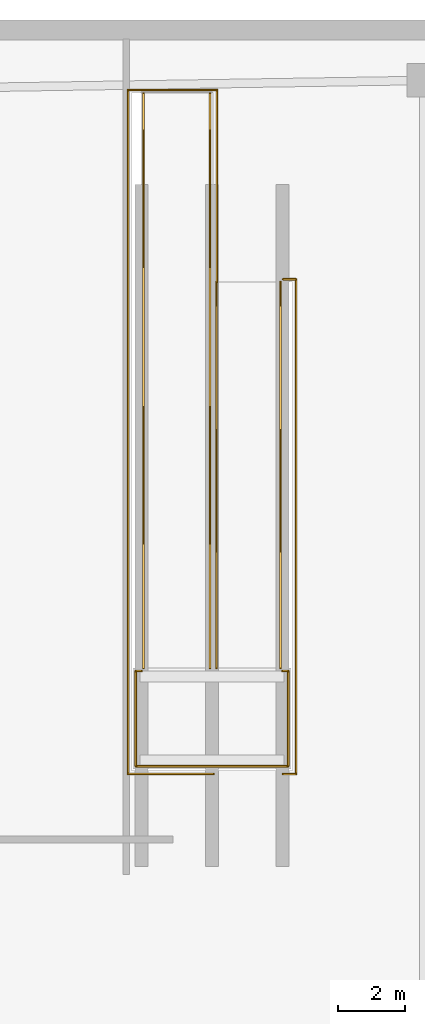
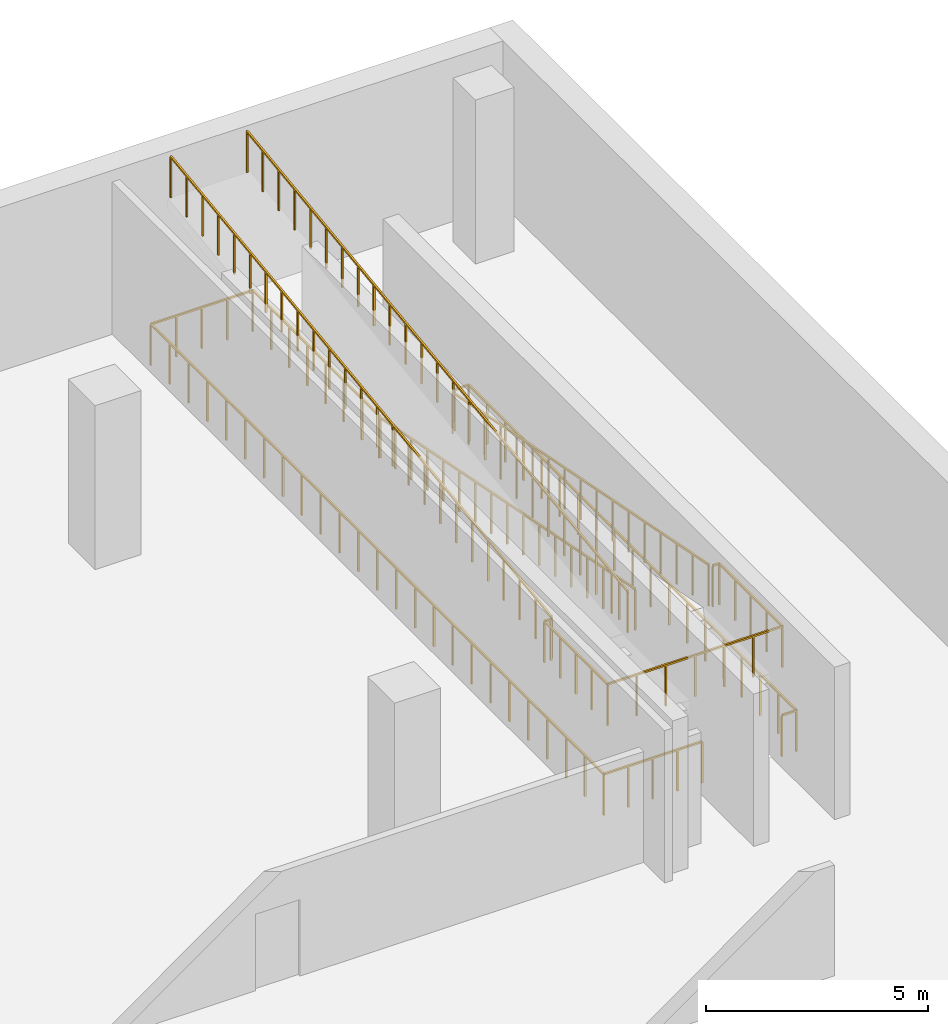
# One storey, part 7 of 8: 16 railings.
"""IFC4 building model written with IfcOpenShell, lengths in metres."""

from ifc_helpers import new_model, si_unit, direction, frame, origin, origin_2d, place, context, subcontext, project, spatial, rectangle, extrude, material, type_object, element, save


model = new_model("IFC4")

# Units and contexts
model_context = context("Model", 3, precision=1e-05, world=origin(), true_north=direction((0.0, 1.0)))
body_context = subcontext(model_context, "Body", "Model", "MODEL_VIEW")
ifc_project = project(units=[si_unit("LENGTHUNIT", "METRE"), si_unit("AREAUNIT", "SQUARE_METRE"), si_unit("VOLUMEUNIT", "CUBIC_METRE"), si_unit("PLANEANGLEUNIT", "RADIAN"), si_unit("MASSUNIT", "GRAM", prefix="KILO")], contexts=[model_context])

# Site, building, storey
site_placement = place(None, origin())
site = spatial("IfcSite", under=ifc_project, at=site_placement, CompositionType="ELEMENT")
building_placement = place(site_placement, origin())
building = spatial("IfcBuilding", under=site, at=building_placement, Name="Qhalaya Broadcast Tower", CompositionType="ELEMENT")
storey_placement = place(building_placement, frame((0.0, 0.0, -4.5)))
storey = spatial("IfcBuildingStorey", under=building, at=storey_placement, Name="B01", CompositionType="ELEMENT", Elevation=-4.5)

# Railings
ifc_material = material(Name="Powder-Coated Galvanised Steel", Category="steel")
railing_type = type_object("IfcRailingType", Name="Stair Well & Landing Guardrail 1100", PredefinedType="GUARDRAIL", material=ifc_material)
railing_1_placement = place(storey_placement, frame((32.949951171875, 5.550048828125, 0.0)))
element("IfcRailing", 1, at=railing_1_placement, inside=storey, type_object=railing_type, Name="B01 Vehicle Ramp Well Safety Guard SW", PredefinedType="GUARDRAIL", context=body_context, shape_type="SweptSolid", body=[
    extrude(rectangle(XDim=0.048095703125, YDim=0.048095703125, at=origin_2d()), frame((0.0, 0.0, 1.1259765625), z_axis=(-1.0, 0.0, 0.0), x_axis=(0.0, -1.0, 0.0)), (0.0, 0.0, 1.0), 2.550048828125),
    extrude(rectangle(XDim=0.0419921875, YDim=0.0419921875, at=origin_2d()), origin(), (0.0, 0.0, 1.0), 1.099853515625),
    extrude(rectangle(XDim=0.0419921875, YDim=0.0419921875, at=origin_2d()), frame((-0.637451171875, 0.0, 0.0)), (0.0, 0.0, 1.0), 1.099853515625),
    extrude(rectangle(XDim=0.0419921875, YDim=0.0419921875, at=origin_2d()), frame((-1.27490234375, 0.0, 0.0)), (0.0, 0.0, 1.0), 1.099853515625),
    extrude(rectangle(XDim=0.0419921875, YDim=0.0419921875, at=origin_2d()), frame((-1.91259765625, 0.0, 0.0)), (0.0, 0.0, 1.0), 1.099853515625),
    extrude(rectangle(XDim=0.0419921875, YDim=0.0419921875, at=origin_2d()), frame((-2.550048828125, 0.0, 0.0)), (0.0, 0.0, 1.0), 1.099853515625),
])
railing_2_placement = place(storey_placement, frame((30.39990234375, 5.550048828125, 0.0)))
element("IfcRailing", 2, at=railing_2_placement, inside=storey, type_object=railing_type, Name="B01 Vehicle Ramp Well Safety Guard WW", PredefinedType="GUARDRAIL", context=body_context, shape_type="SweptSolid", body=[
    extrude(rectangle(XDim=0.048095703125, YDim=0.048095703125, at=origin_2d()), frame((0.0, 0.0, 1.1259765625), z_axis=(0.0, 1.0, 0.0), x_axis=(-1.0, 0.0, 0.0)), (0.0, 0.0, 1.0), 20.369873046875),
    extrude(rectangle(XDim=0.0419921875, YDim=0.0419921875, at=origin_2d()), origin(), (0.0, 0.0, 1.0), 1.099853515625),
    extrude(rectangle(XDim=0.0419921875, YDim=0.0419921875, at=origin_2d()), frame((0.0, 0.8486328125, 0.0)), (0.0, 0.0, 1.0), 1.099853515625),
    extrude(rectangle(XDim=0.0419921875, YDim=0.0419921875, at=origin_2d()), frame((0.0, 1.697509765625, 0.0)), (0.0, 0.0, 1.0), 1.099853515625),
    extrude(rectangle(XDim=0.0419921875, YDim=0.0419921875, at=origin_2d()), frame((0.0, 2.546142578125, 0.0)), (0.0, 0.0, 1.0), 1.099853515625),
    extrude(rectangle(XDim=0.0419921875, YDim=0.0419921875, at=origin_2d()), frame((0.0, 3.39501953125, 0.0)), (0.0, 0.0, 1.0), 1.099853515625),
    extrude(rectangle(XDim=0.0419921875, YDim=0.0419921875, at=origin_2d()), frame((0.0, 4.24365234375, 0.0)), (0.0, 0.0, 1.0), 1.099853515625),
    extrude(rectangle(XDim=0.0419921875, YDim=0.0419921875, at=origin_2d()), frame((0.0, 5.092529296875, 0.0)), (0.0, 0.0, 1.0), 1.099853515625),
    extrude(rectangle(XDim=0.0419921875, YDim=0.0419921875, at=origin_2d()), frame((0.0, 5.941162109375, 0.0)), (0.0, 0.0, 1.0), 1.099853515625),
    extrude(rectangle(XDim=0.0419921875, YDim=0.0419921875, at=origin_2d()), frame((0.0, 6.7900390625, 0.0)), (0.0, 0.0, 1.0), 1.099853515625),
    extrude(rectangle(XDim=0.0419921875, YDim=0.0419921875, at=origin_2d()), frame((0.0, 7.638671875, 0.0)), (0.0, 0.0, 1.0), 1.099853515625),
    extrude(rectangle(XDim=0.0419921875, YDim=0.0419921875, at=origin_2d()), frame((0.0, 8.487548828125, 0.0)), (0.0, 0.0, 1.0), 1.099853515625),
    extrude(rectangle(XDim=0.0419921875, YDim=0.0419921875, at=origin_2d()), frame((0.0, 9.336181640625, 0.0)), (0.0, 0.0, 1.0), 1.099853515625),
    extrude(rectangle(XDim=0.0419921875, YDim=0.0419921875, at=origin_2d()), frame((0.0, 10.18505859375, 0.0)), (0.0, 0.0, 1.0), 1.099853515625),
    extrude(rectangle(XDim=0.0419921875, YDim=0.0419921875, at=origin_2d()), frame((0.0, 11.03369140625, 0.0)), (0.0, 0.0, 1.0), 1.099853515625),
    extrude(rectangle(XDim=0.0419921875, YDim=0.0419921875, at=origin_2d()), frame((0.0, 11.88232421875, 0.0)), (0.0, 0.0, 1.0), 1.099853515625),
    extrude(rectangle(XDim=0.0419921875, YDim=0.0419921875, at=origin_2d()), frame((0.0, 12.731201171875, 0.0)), (0.0, 0.0, 1.0), 1.099853515625),
    extrude(rectangle(XDim=0.0419921875, YDim=0.0419921875, at=origin_2d()), frame((0.0, 13.579833984375, 0.0)), (0.0, 0.0, 1.0), 1.099853515625),
    extrude(rectangle(XDim=0.0419921875, YDim=0.0419921875, at=origin_2d()), frame((0.0, 14.4287109375, 0.0)), (0.0, 0.0, 1.0), 1.099853515625),
    extrude(rectangle(XDim=0.0419921875, YDim=0.0419921875, at=origin_2d()), frame((0.0, 15.27734375, 0.0)), (0.0, 0.0, 1.0), 1.099853515625),
    extrude(rectangle(XDim=0.0419921875, YDim=0.0419921875, at=origin_2d()), frame((0.0, 16.126220703125, 0.0)), (0.0, 0.0, 1.0), 1.099853515625),
    extrude(rectangle(XDim=0.0419921875, YDim=0.0419921875, at=origin_2d()), frame((0.0, 16.974853515625, 0.0)), (0.0, 0.0, 1.0), 1.099853515625),
    extrude(rectangle(XDim=0.0419921875, YDim=0.0419921875, at=origin_2d()), frame((0.0, 17.82373046875, 0.0)), (0.0, 0.0, 1.0), 1.099853515625),
    extrude(rectangle(XDim=0.0419921875, YDim=0.0419921875, at=origin_2d()), frame((0.0, 18.67236328125, 0.0)), (0.0, 0.0, 1.0), 1.099853515625),
    extrude(rectangle(XDim=0.0419921875, YDim=0.0419921875, at=origin_2d()), frame((0.0, 19.521240234375, 0.0)), (0.0, 0.0, 1.0), 1.099853515625),
    extrude(rectangle(XDim=0.0419921875, YDim=0.0419921875, at=origin_2d()), frame((0.0, 20.369873046875, 0.0)), (0.0, 0.0, 1.0), 1.099853515625),
])
railing_3_placement = place(storey_placement, frame((30.39990234375, 25.919921875, 0.0)))
element("IfcRailing", 3, at=railing_3_placement, inside=storey, type_object=railing_type, Name="B01 Vehicle Ramp Well Safety Guard NW", PredefinedType="GUARDRAIL", context=body_context, shape_type="SweptSolid", body=[
    extrude(rectangle(XDim=0.048095703125, YDim=0.048095703125, at=origin_2d()), frame((0.0, 0.0, 1.1259765625), z_axis=(1.0, 0.0, 0.0), x_axis=(0.0, 1.0, 0.0)), (0.0, 0.0, 1.0), 2.650146484375),
    extrude(rectangle(XDim=0.0419921875, YDim=0.0419921875, at=origin_2d()), origin(), (0.0, 0.0, 1.0), 1.099853515625),
    extrude(rectangle(XDim=0.0419921875, YDim=0.0419921875, at=origin_2d()), frame((0.66259765625, 0.0, 0.0)), (0.0, 0.0, 1.0), 1.099853515625),
    extrude(rectangle(XDim=0.0419921875, YDim=0.0419921875, at=origin_2d()), frame((1.3251953125, 0.0, 0.0)), (0.0, 0.0, 1.0), 1.099853515625),
    extrude(rectangle(XDim=0.0419921875, YDim=0.0419921875, at=origin_2d()), frame((1.987548828125, 0.0, 0.0)), (0.0, 0.0, 1.0), 1.099853515625),
    extrude(rectangle(XDim=0.0419921875, YDim=0.0419921875, at=origin_2d()), frame((2.650146484375, 0.0, 0.0)), (0.0, 0.0, 1.0), 1.099853515625),
])
railing_4_placement = place(storey_placement, frame((33.050048828125, 25.919921875, 0.0)))
element("IfcRailing", 4, at=railing_4_placement, inside=storey, type_object=railing_type, Name="B01 Vehicle Ramp Well Safety Guard MW", PredefinedType="GUARDRAIL", context=body_context, shape_type="SweptSolid", body=[
    extrude(rectangle(XDim=0.048095703125, YDim=0.048095703125, at=origin_2d()), frame((0.0, 0.0, 1.1259765625), z_axis=(0.0, -1.0, 0.0), x_axis=(1.0, 0.0, 0.0)), (0.0, 0.0, 1.0), 5.719970703125),
    extrude(rectangle(XDim=0.0419921875, YDim=0.0419921875, at=origin_2d()), origin(), (0.0, 0.0, 1.0), 1.099853515625),
    extrude(rectangle(XDim=0.0419921875, YDim=0.0419921875, at=origin_2d()), frame((0.0, -0.817138671875, 0.0)), (0.0, 0.0, 1.0), 1.099853515625),
    extrude(rectangle(XDim=0.0419921875, YDim=0.0419921875, at=origin_2d()), frame((0.0, -1.63427734375, 0.0)), (0.0, 0.0, 1.0), 1.099853515625),
    extrude(rectangle(XDim=0.0419921875, YDim=0.0419921875, at=origin_2d()), frame((0.0, -2.451416015625, 0.0)), (0.0, 0.0, 1.0), 1.099853515625),
    extrude(rectangle(XDim=0.0419921875, YDim=0.0419921875, at=origin_2d()), frame((0.0, -3.2685546875, 0.0)), (0.0, 0.0, 1.0), 1.099853515625),
    extrude(rectangle(XDim=0.0419921875, YDim=0.0419921875, at=origin_2d()), frame((0.0, -4.085693359375, 0.0)), (0.0, 0.0, 1.0), 1.099853515625),
    extrude(rectangle(XDim=0.0419921875, YDim=0.0419921875, at=origin_2d()), frame((0.0, -4.90283203125, 0.0)), (0.0, 0.0, 1.0), 1.099853515625),
    extrude(rectangle(XDim=0.0419921875, YDim=0.0419921875, at=origin_2d()), frame((0.0, -5.719970703125, 0.0)), (0.0, 0.0, 1.0), 1.099853515625),
])
railing_5_placement = place(storey_placement, frame((35.02001953125, 5.550048828125, 0.0)))
element("IfcRailing", 5, at=railing_5_placement, inside=storey, type_object=railing_type, Name="B01 Vehicle Ramp Well Safety Guard SE", PredefinedType="GUARDRAIL", context=body_context, shape_type="SweptSolid", body=[
    extrude(rectangle(XDim=0.048095703125, YDim=0.048095703125, at=origin_2d()), frame((0.0, 0.0, 1.1259765625), z_axis=(1.0, 0.0, 0.0), x_axis=(0.0, 1.0, 0.0)), (0.0, 0.0, 1.0), 0.3798828125),
    extrude(rectangle(XDim=0.0419921875, YDim=0.0419921875, at=origin_2d()), origin(), (0.0, 0.0, 1.0), 1.099853515625),
    extrude(rectangle(XDim=0.0419921875, YDim=0.0419921875, at=origin_2d()), frame((0.3798828125, 0.0, 0.0)), (0.0, 0.0, 1.0), 1.099853515625),
])
railing_6_placement = place(storey_placement, frame((35.39990234375, 5.550048828125, 0.0)))
element("IfcRailing", 6, at=railing_6_placement, inside=storey, type_object=railing_type, Name="B01 Vehicle Ramp Well Safety Guard EE", PredefinedType="GUARDRAIL", context=body_context, shape_type="SweptSolid", body=[
    extrude(rectangle(XDim=0.048095703125, YDim=0.048095703125, at=origin_2d()), frame((0.0, 0.0, 1.1259765625), z_axis=(0.0, 1.0, 0.0), x_axis=(-1.0, 0.0, 0.0)), (0.0, 0.0, 1.0), 14.72998046875),
    extrude(rectangle(XDim=0.0419921875, YDim=0.0419921875, at=origin_2d()), origin(), (0.0, 0.0, 1.0), 1.099853515625),
    extrude(rectangle(XDim=0.0419921875, YDim=0.0419921875, at=origin_2d()), frame((0.0, 0.818359375, 0.0)), (0.0, 0.0, 1.0), 1.099853515625),
    extrude(rectangle(XDim=0.0419921875, YDim=0.0419921875, at=origin_2d()), frame((0.0, 1.63671875, 0.0)), (0.0, 0.0, 1.0), 1.099853515625),
    extrude(rectangle(XDim=0.0419921875, YDim=0.0419921875, at=origin_2d()), frame((0.0, 2.455078125, 0.0)), (0.0, 0.0, 1.0), 1.099853515625),
    extrude(rectangle(XDim=0.0419921875, YDim=0.0419921875, at=origin_2d()), frame((0.0, 3.2734375, 0.0)), (0.0, 0.0, 1.0), 1.099853515625),
    extrude(rectangle(XDim=0.0419921875, YDim=0.0419921875, at=origin_2d()), frame((0.0, 4.091552734375, 0.0)), (0.0, 0.0, 1.0), 1.099853515625),
    extrude(rectangle(XDim=0.0419921875, YDim=0.0419921875, at=origin_2d()), frame((0.0, 4.909912109375, 0.0)), (0.0, 0.0, 1.0), 1.099853515625),
    extrude(rectangle(XDim=0.0419921875, YDim=0.0419921875, at=origin_2d()), frame((0.0, 5.728271484375, 0.0)), (0.0, 0.0, 1.0), 1.099853515625),
    extrude(rectangle(XDim=0.0419921875, YDim=0.0419921875, at=origin_2d()), frame((0.0, 6.546630859375, 0.0)), (0.0, 0.0, 1.0), 1.099853515625),
    extrude(rectangle(XDim=0.0419921875, YDim=0.0419921875, at=origin_2d()), frame((0.0, 7.364990234375, 0.0)), (0.0, 0.0, 1.0), 1.099853515625),
    extrude(rectangle(XDim=0.0419921875, YDim=0.0419921875, at=origin_2d()), frame((0.0, 8.183349609375, 0.0)), (0.0, 0.0, 1.0), 1.099853515625),
    extrude(rectangle(XDim=0.0419921875, YDim=0.0419921875, at=origin_2d()), frame((0.0, 9.001708984375, 0.0)), (0.0, 0.0, 1.0), 1.099853515625),
    extrude(rectangle(XDim=0.0419921875, YDim=0.0419921875, at=origin_2d()), frame((0.0, 9.820068359375, 0.0)), (0.0, 0.0, 1.0), 1.099853515625),
    extrude(rectangle(XDim=0.0419921875, YDim=0.0419921875, at=origin_2d()), frame((0.0, 10.638427734375, 0.0)), (0.0, 0.0, 1.0), 1.099853515625),
    extrude(rectangle(XDim=0.0419921875, YDim=0.0419921875, at=origin_2d()), frame((0.0, 11.45654296875, 0.0)), (0.0, 0.0, 1.0), 1.099853515625),
    extrude(rectangle(XDim=0.0419921875, YDim=0.0419921875, at=origin_2d()), frame((0.0, 12.27490234375, 0.0)), (0.0, 0.0, 1.0), 1.099853515625),
    extrude(rectangle(XDim=0.0419921875, YDim=0.0419921875, at=origin_2d()), frame((0.0, 13.09326171875, 0.0)), (0.0, 0.0, 1.0), 1.099853515625),
    extrude(rectangle(XDim=0.0419921875, YDim=0.0419921875, at=origin_2d()), frame((0.0, 13.91162109375, 0.0)), (0.0, 0.0, 1.0), 1.099853515625),
    extrude(rectangle(XDim=0.0419921875, YDim=0.0419921875, at=origin_2d()), frame((0.0, 14.72998046875, 0.0)), (0.0, 0.0, 1.0), 1.099853515625),
])
railing_7_placement = place(storey_placement, frame((35.39990234375, 20.280029296875, 0.0)))
element("IfcRailing", 7, at=railing_7_placement, inside=storey, type_object=railing_type, Name="B01 Vehicle Ramp Well Safety Guard NE", PredefinedType="GUARDRAIL", context=body_context, shape_type="SweptSolid", body=[
    extrude(rectangle(XDim=0.048095703125, YDim=0.048095703125, at=origin_2d()), frame((0.0, 0.0, 1.1259765625), z_axis=(-1.0, 0.0, 0.0), x_axis=(0.0, -1.0, 0.0)), (0.0, 0.0, 1.0), 0.3798828125),
    extrude(rectangle(XDim=0.0419921875, YDim=0.0419921875, at=origin_2d()), origin(), (0.0, 0.0, 1.0), 1.099853515625),
    extrude(rectangle(XDim=0.0419921875, YDim=0.0419921875, at=origin_2d()), frame((-0.3798828125, 0.0, 0.0)), (0.0, 0.0, 1.0), 1.099853515625),
])
railing_8_placement = place(storey_placement, frame((30.800048828125, 8.6201171875, 2.25)))
element("IfcRailing", 8, at=railing_8_placement, inside=storey, type_object=railing_type, Name="B01 Ramp Mid-Landing Edge Barrier NW", PredefinedType="GUARDRAIL", context=body_context, shape_type="SweptSolid", body=[
    extrude(rectangle(XDim=0.048095703125, YDim=0.048095703125, at=origin_2d()), frame((0.0, 0.0, 1.1259765625), z_axis=(-1.0, 0.0, 0.0), x_axis=(0.0, -1.0, 0.0)), (0.0, 0.0, 1.0), 0.170166015625),
    extrude(rectangle(XDim=0.0419921875, YDim=0.0419921875, at=origin_2d()), origin(), (0.0, 0.0, 1.0), 1.099853515625),
    extrude(rectangle(XDim=0.0419921875, YDim=0.0419921875, at=origin_2d()), frame((-0.170166015625, 0.0, 0.0)), (0.0, 0.0, 1.0), 1.099853515625),
])
railing_9_placement = place(storey_placement, frame((30.6298828125, 8.6201171875, 2.25)))
element("IfcRailing", 9, at=railing_9_placement, inside=storey, type_object=railing_type, Name="B01 Ramp Mid-Landing Edge Barrier W", PredefinedType="GUARDRAIL", context=body_context, shape_type="SweptSolid", body=[
    extrude(rectangle(XDim=0.048095703125, YDim=0.048095703125, at=origin_2d()), frame((0.0, 0.0, 1.1259765625), z_axis=(0.0, -1.0, 0.0), x_axis=(1.0, 0.0, 0.0)), (0.0, 0.0, 1.0), 2.840087890625),
    extrude(rectangle(XDim=0.0419921875, YDim=0.0419921875, at=origin_2d()), origin(), (0.0, 0.0, 1.0), 1.099853515625),
    extrude(rectangle(XDim=0.0419921875, YDim=0.0419921875, at=origin_2d()), frame((0.0, -0.7099609375, 0.0)), (0.0, 0.0, 1.0), 1.099853515625),
    extrude(rectangle(XDim=0.0419921875, YDim=0.0419921875, at=origin_2d()), frame((0.0, -1.419921875, 0.0)), (0.0, 0.0, 1.0), 1.099853515625),
    extrude(rectangle(XDim=0.0419921875, YDim=0.0419921875, at=origin_2d()), frame((0.0, -2.130126953125, 0.0)), (0.0, 0.0, 1.0), 1.099853515625),
    extrude(rectangle(XDim=0.0419921875, YDim=0.0419921875, at=origin_2d()), frame((0.0, -2.840087890625, 0.0)), (0.0, 0.0, 1.0), 1.099853515625),
])
railing_10_placement = place(storey_placement, frame((30.6298828125, 5.780029296875, 2.25)))
element("IfcRailing", 10, at=railing_10_placement, inside=storey, type_object=railing_type, Name="B01 Ramp Mid-Landing Edge Barrier S", PredefinedType="GUARDRAIL", context=body_context, shape_type="SweptSolid", body=[
    extrude(rectangle(XDim=0.048095703125, YDim=0.048095703125, at=origin_2d()), frame((0.0, 0.0, 1.1259765625), z_axis=(1.0, 0.0, 0.0), x_axis=(0.0, 1.0, 0.0)), (0.0, 0.0, 1.0), 4.5400390625),
    extrude(rectangle(XDim=0.0419921875, YDim=0.0419921875, at=origin_2d()), origin(), (0.0, 0.0, 1.0), 1.099853515625),
    extrude(rectangle(XDim=0.0419921875, YDim=0.0419921875, at=origin_2d()), frame((0.756591796875, 0.0, 0.0)), (0.0, 0.0, 1.0), 1.099853515625),
    extrude(rectangle(XDim=0.0419921875, YDim=0.0419921875, at=origin_2d()), frame((1.513427734375, 0.0, 0.0)), (0.0, 0.0, 1.0), 1.099853515625),
    extrude(rectangle(XDim=0.0419921875, YDim=0.0419921875, at=origin_2d()), frame((2.27001953125, 0.0, 0.0)), (0.0, 0.0, 1.0), 1.099853515625),
    extrude(rectangle(XDim=0.0419921875, YDim=0.0419921875, at=origin_2d()), frame((3.026611328125, 0.0, 0.0)), (0.0, 0.0, 1.0), 1.099853515625),
    extrude(rectangle(XDim=0.0419921875, YDim=0.0419921875, at=origin_2d()), frame((3.783447265625, 0.0, 0.0)), (0.0, 0.0, 1.0), 1.099853515625),
    extrude(rectangle(XDim=0.0419921875, YDim=0.0419921875, at=origin_2d()), frame((4.5400390625, 0.0, 0.0)), (0.0, 0.0, 1.0), 1.099853515625),
])
railing_11_placement = place(storey_placement, frame((35.169921875, 5.780029296875, 2.25)))
element("IfcRailing", 11, at=railing_11_placement, inside=storey, type_object=railing_type, Name="B01 Ramp Mid-Landing Edge Barrier E", PredefinedType="GUARDRAIL", context=body_context, shape_type="SweptSolid", body=[
    extrude(rectangle(XDim=0.048095703125, YDim=0.048095703125, at=origin_2d()), frame((0.0, 0.0, 1.1259765625), z_axis=(0.0, 1.0, 0.0), x_axis=(-1.0, 0.0, 0.0)), (0.0, 0.0, 1.0), 2.840087890625),
    extrude(rectangle(XDim=0.0419921875, YDim=0.0419921875, at=origin_2d()), origin(), (0.0, 0.0, 1.0), 1.099853515625),
    extrude(rectangle(XDim=0.0419921875, YDim=0.0419921875, at=origin_2d()), frame((0.0, 0.7099609375, 0.0)), (0.0, 0.0, 1.0), 1.099853515625),
    extrude(rectangle(XDim=0.0419921875, YDim=0.0419921875, at=origin_2d()), frame((0.0, 1.419921875, 0.0)), (0.0, 0.0, 1.0), 1.099853515625),
    extrude(rectangle(XDim=0.0419921875, YDim=0.0419921875, at=origin_2d()), frame((0.0, 2.130126953125, 0.0)), (0.0, 0.0, 1.0), 1.099853515625),
    extrude(rectangle(XDim=0.0419921875, YDim=0.0419921875, at=origin_2d()), frame((0.0, 2.840087890625, 0.0)), (0.0, 0.0, 1.0), 1.099853515625),
])
railing_12_placement = place(storey_placement, frame((35.169921875, 8.6201171875, 2.25)))
element("IfcRailing", 12, at=railing_12_placement, inside=storey, type_object=railing_type, Name="B01 Ramp Mid-Landing Edge Barrier NE", PredefinedType="GUARDRAIL", context=body_context, shape_type="SweptSolid", body=[
    extrude(rectangle(XDim=0.048095703125, YDim=0.048095703125, at=origin_2d()), frame((0.0, 0.0, 1.1259765625), z_axis=(-1.0, 0.0, 0.0), x_axis=(0.0, -1.0, 0.0)), (0.0, 0.0, 1.0), 0.169921875),
    extrude(rectangle(XDim=0.0419921875, YDim=0.0419921875, at=origin_2d()), origin(), (0.0, 0.0, 1.0), 1.099853515625),
    extrude(rectangle(XDim=0.0419921875, YDim=0.0419921875, at=origin_2d()), frame((-0.169921875, 0.0, 0.0)), (0.0, 0.0, 1.0), 1.099853515625),
])
railing_13_placement = place(storey_placement, frame((33.030029296875, 20.199951171875, 0.0)))
element("IfcRailing", 13, at=railing_13_placement, inside=storey, type_object=railing_type, Name="B01 Sloped Vehicle Ramp Edge Barrier VR3-L", PredefinedType="GUARDRAIL", context=body_context, shape_type="SweptSolid", body=[
    extrude(rectangle(XDim=0.048095703125, YDim=0.048095703125, at=origin_2d()), frame((0.0, 0.0, 1.1259765625), z_axis=(0.0, -0.98139265486, 0.192011606386), x_axis=(1.0, 0.0, 0.0)), (0.0, 0.0, 1.0), 11.718017578125),
    extrude(rectangle(XDim=0.0419921875, YDim=0.0419921875, at=origin_2d()), origin(), (0.0, 0.0, 1.0), 1.099853515625),
    extrude(rectangle(XDim=0.0419921875, YDim=0.0419921875, at=origin_2d()), frame((0.0, -0.71875, 0.140625)), (0.0, 0.0, 1.0), 1.099853515625),
    extrude(rectangle(XDim=0.0419921875, YDim=0.0419921875, at=origin_2d()), frame((0.0, -1.4375, 0.28125)), (0.0, 0.0, 1.0), 1.099853515625),
    extrude(rectangle(XDim=0.0419921875, YDim=0.0419921875, at=origin_2d()), frame((0.0, -2.15625, 0.421875)), (0.0, 0.0, 1.0), 1.099853515625),
    extrude(rectangle(XDim=0.0419921875, YDim=0.0419921875, at=origin_2d()), frame((0.0, -2.875, 0.5625)), (0.0, 0.0, 1.0), 1.099853515625),
    extrude(rectangle(XDim=0.0419921875, YDim=0.0419921875, at=origin_2d()), frame((0.0, -3.59375, 0.703125)), (0.0, 0.0, 1.0), 1.099853515625),
    extrude(rectangle(XDim=0.0419921875, YDim=0.0419921875, at=origin_2d()), frame((0.0, -4.3125, 0.84375)), (0.0, 0.0, 1.0), 1.099853515625),
    extrude(rectangle(XDim=0.0419921875, YDim=0.0419921875, at=origin_2d()), frame((0.0, -5.03125, 0.984375)), (0.0, 0.0, 1.0), 1.099853515625),
    extrude(rectangle(XDim=0.0419921875, YDim=0.0419921875, at=origin_2d()), frame((0.0, -5.75, 1.125)), (0.0, 0.0, 1.0), 1.099853515625),
    extrude(rectangle(XDim=0.0419921875, YDim=0.0419921875, at=origin_2d()), frame((0.0, -6.46875, 1.265625)), (0.0, 0.0, 1.0), 1.099853515625),
    extrude(rectangle(XDim=0.0419921875, YDim=0.0419921875, at=origin_2d()), frame((0.0, -7.1875, 1.40625)), (0.0, 0.0, 1.0), 1.099853515625),
    extrude(rectangle(XDim=0.0419921875, YDim=0.0419921875, at=origin_2d()), frame((0.0, -7.90625, 1.546875)), (0.0, 0.0, 1.0), 1.099853515625),
    extrude(rectangle(XDim=0.0419921875, YDim=0.0419921875, at=origin_2d()), frame((0.0, -8.625, 1.6875)), (0.0, 0.0, 1.0), 1.099853515625),
    extrude(rectangle(XDim=0.0419921875, YDim=0.0419921875, at=origin_2d()), frame((0.0, -9.34375, 1.828125)), (0.0, 0.0, 1.0), 1.099853515625),
    extrude(rectangle(XDim=0.0419921875, YDim=0.0419921875, at=origin_2d()), frame((0.0, -10.0625, 1.96875)), (0.0, 0.0, 1.0), 1.099853515625),
    extrude(rectangle(XDim=0.0419921875, YDim=0.0419921875, at=origin_2d()), frame((0.0, -10.78125, 2.109375)), (0.0, 0.0, 1.0), 1.099853515625),
    extrude(rectangle(XDim=0.0419921875, YDim=0.0419921875, at=origin_2d()), frame((0.0, -11.5, 2.25)), (0.0, 0.0, 1.0), 1.099853515625),
])
railing_14_placement = place(storey_placement, frame((34.93994140625, 20.199951171875, 0.0)))
element("IfcRailing", 14, at=railing_14_placement, inside=storey, type_object=railing_type, Name="B01 Sloped Vehicle Ramp Edge Barrier VR3-R", PredefinedType="GUARDRAIL", context=body_context, shape_type="SweptSolid", body=[
    extrude(rectangle(XDim=0.048095703125, YDim=0.048095703125, at=origin_2d()), frame((0.0, 0.0, 1.1259765625), z_axis=(0.0, -0.98139265486, 0.192011606386), x_axis=(1.0, 0.0, 0.0)), (0.0, 0.0, 1.0), 11.718017578125),
    extrude(rectangle(XDim=0.0419921875, YDim=0.0419921875, at=origin_2d()), origin(), (0.0, 0.0, 1.0), 1.099853515625),
    extrude(rectangle(XDim=0.0419921875, YDim=0.0419921875, at=origin_2d()), frame((0.0, -0.71875, 0.140625)), (0.0, 0.0, 1.0), 1.099853515625),
    extrude(rectangle(XDim=0.0419921875, YDim=0.0419921875, at=origin_2d()), frame((0.0, -1.4375, 0.28125)), (0.0, 0.0, 1.0), 1.099853515625),
    extrude(rectangle(XDim=0.0419921875, YDim=0.0419921875, at=origin_2d()), frame((0.0, -2.15625, 0.421875)), (0.0, 0.0, 1.0), 1.099853515625),
    extrude(rectangle(XDim=0.0419921875, YDim=0.0419921875, at=origin_2d()), frame((0.0, -2.875, 0.5625)), (0.0, 0.0, 1.0), 1.099853515625),
    extrude(rectangle(XDim=0.0419921875, YDim=0.0419921875, at=origin_2d()), frame((0.0, -3.59375, 0.703125)), (0.0, 0.0, 1.0), 1.099853515625),
    extrude(rectangle(XDim=0.0419921875, YDim=0.0419921875, at=origin_2d()), frame((0.0, -4.3125, 0.84375)), (0.0, 0.0, 1.0), 1.099853515625),
    extrude(rectangle(XDim=0.0419921875, YDim=0.0419921875, at=origin_2d()), frame((0.0, -5.03125, 0.984375)), (0.0, 0.0, 1.0), 1.099853515625),
    extrude(rectangle(XDim=0.0419921875, YDim=0.0419921875, at=origin_2d()), frame((0.0, -5.75, 1.125)), (0.0, 0.0, 1.0), 1.099853515625),
    extrude(rectangle(XDim=0.0419921875, YDim=0.0419921875, at=origin_2d()), frame((0.0, -6.46875, 1.265625)), (0.0, 0.0, 1.0), 1.099853515625),
    extrude(rectangle(XDim=0.0419921875, YDim=0.0419921875, at=origin_2d()), frame((0.0, -7.1875, 1.40625)), (0.0, 0.0, 1.0), 1.099853515625),
    extrude(rectangle(XDim=0.0419921875, YDim=0.0419921875, at=origin_2d()), frame((0.0, -7.90625, 1.546875)), (0.0, 0.0, 1.0), 1.099853515625),
    extrude(rectangle(XDim=0.0419921875, YDim=0.0419921875, at=origin_2d()), frame((0.0, -8.625, 1.6875)), (0.0, 0.0, 1.0), 1.099853515625),
    extrude(rectangle(XDim=0.0419921875, YDim=0.0419921875, at=origin_2d()), frame((0.0, -9.34375, 1.828125)), (0.0, 0.0, 1.0), 1.099853515625),
    extrude(rectangle(XDim=0.0419921875, YDim=0.0419921875, at=origin_2d()), frame((0.0, -10.0625, 1.96875)), (0.0, 0.0, 1.0), 1.099853515625),
    extrude(rectangle(XDim=0.0419921875, YDim=0.0419921875, at=origin_2d()), frame((0.0, -10.78125, 2.109375)), (0.0, 0.0, 1.0), 1.099853515625),
    extrude(rectangle(XDim=0.0419921875, YDim=0.0419921875, at=origin_2d()), frame((0.0, -11.5, 2.25)), (0.0, 0.0, 1.0), 1.099853515625),
])
railing_15_placement = place(storey_placement, frame((30.860107421875, 8.699951171875, 2.25)))
element("IfcRailing", 15, at=railing_15_placement, inside=storey, type_object=railing_type, Name="B01 Sloped Vehicle Ramp Edge Barrier VR4-L", PredefinedType="GUARDRAIL", context=body_context, shape_type="SweptSolid", body=[
    extrude(rectangle(XDim=0.048095703125, YDim=0.048095703125, at=origin_2d()), frame((0.0, 0.0, 1.1259765625), z_axis=(0.0, 0.991474111234, 0.130303824784), x_axis=(-1.0, 0.0, 0.0)), (0.0, 0.0, 1.0), 17.267333984375),
    extrude(rectangle(XDim=0.0419921875, YDim=0.0419921875, at=origin_2d()), origin(), (0.0, 0.0, 1.0), 1.099853515625),
    extrude(rectangle(XDim=0.0419921875, YDim=0.0419921875, at=origin_2d()), frame((0.0, 0.71337890625, 0.09375)), (0.0, 0.0, 1.0), 1.099853515625),
    extrude(rectangle(XDim=0.0419921875, YDim=0.0419921875, at=origin_2d()), frame((0.0, 1.4267578125, 0.1875)), (0.0, 0.0, 1.0), 1.099853515625),
    extrude(rectangle(XDim=0.0419921875, YDim=0.0419921875, at=origin_2d()), frame((0.0, 2.14013671875, 0.28125)), (0.0, 0.0, 1.0), 1.099853515625),
    extrude(rectangle(XDim=0.0419921875, YDim=0.0419921875, at=origin_2d()), frame((0.0, 2.853271484375, 0.375)), (0.0, 0.0, 1.0), 1.099853515625),
    extrude(rectangle(XDim=0.0419921875, YDim=0.0419921875, at=origin_2d()), frame((0.0, 3.566650390625, 0.46875)), (0.0, 0.0, 1.0), 1.099853515625),
    extrude(rectangle(XDim=0.0419921875, YDim=0.0419921875, at=origin_2d()), frame((0.0, 4.280029296875, 0.5625)), (0.0, 0.0, 1.0), 1.099853515625),
    extrude(rectangle(XDim=0.0419921875, YDim=0.0419921875, at=origin_2d()), frame((0.0, 4.993408203125, 0.65625)), (0.0, 0.0, 1.0), 1.099853515625),
    extrude(rectangle(XDim=0.0419921875, YDim=0.0419921875, at=origin_2d()), frame((0.0, 5.706787109375, 0.75)), (0.0, 0.0, 1.0), 1.099853515625),
    extrude(rectangle(XDim=0.0419921875, YDim=0.0419921875, at=origin_2d()), frame((0.0, 6.419921875, 0.84375)), (0.0, 0.0, 1.0), 1.099853515625),
    extrude(rectangle(XDim=0.0419921875, YDim=0.0419921875, at=origin_2d()), frame((0.0, 7.13330078125, 0.9375)), (0.0, 0.0, 1.0), 1.099853515625),
    extrude(rectangle(XDim=0.0419921875, YDim=0.0419921875, at=origin_2d()), frame((0.0, 7.8466796875, 1.03125)), (0.0, 0.0, 1.0), 1.099853515625),
    extrude(rectangle(XDim=0.0419921875, YDim=0.0419921875, at=origin_2d()), frame((0.0, 8.56005859375, 1.125)), (0.0, 0.0, 1.0), 1.099853515625),
    extrude(rectangle(XDim=0.0419921875, YDim=0.0419921875, at=origin_2d()), frame((0.0, 9.2734375, 1.21875)), (0.0, 0.0, 1.0), 1.099853515625),
    extrude(rectangle(XDim=0.0419921875, YDim=0.0419921875, at=origin_2d()), frame((0.0, 9.98681640625, 1.3125)), (0.0, 0.0, 1.0), 1.099853515625),
    extrude(rectangle(XDim=0.0419921875, YDim=0.0419921875, at=origin_2d()), frame((0.0, 10.7001953125, 1.40625)), (0.0, 0.0, 1.0), 1.099853515625),
    extrude(rectangle(XDim=0.0419921875, YDim=0.0419921875, at=origin_2d()), frame((0.0, 11.413330078125, 1.5)), (0.0, 0.0, 1.0), 1.099853515625),
    extrude(rectangle(XDim=0.0419921875, YDim=0.0419921875, at=origin_2d()), frame((0.0, 12.126708984375, 1.59375)), (0.0, 0.0, 1.0), 1.099853515625),
    extrude(rectangle(XDim=0.0419921875, YDim=0.0419921875, at=origin_2d()), frame((0.0, 12.840087890625, 1.6875)), (0.0, 0.0, 1.0), 1.099853515625),
    extrude(rectangle(XDim=0.0419921875, YDim=0.0419921875, at=origin_2d()), frame((0.0, 13.553466796875, 1.78125)), (0.0, 0.0, 1.0), 1.099853515625),
    extrude(rectangle(XDim=0.0419921875, YDim=0.0419921875, at=origin_2d()), frame((0.0, 14.266845703125, 1.875)), (0.0, 0.0, 1.0), 1.099853515625),
    extrude(rectangle(XDim=0.0419921875, YDim=0.0419921875, at=origin_2d()), frame((0.0, 14.97998046875, 1.96875)), (0.0, 0.0, 1.0), 1.099853515625),
    extrude(rectangle(XDim=0.0419921875, YDim=0.0419921875, at=origin_2d()), frame((0.0, 15.693359375, 2.0625)), (0.0, 0.0, 1.0), 1.099853515625),
    extrude(rectangle(XDim=0.0419921875, YDim=0.0419921875, at=origin_2d()), frame((0.0, 16.40673828125, 2.15625)), (0.0, 0.0, 1.0), 1.099853515625),
    extrude(rectangle(XDim=0.0419921875, YDim=0.0419921875, at=origin_2d()), frame((0.0, 17.1201171875, 2.25)), (0.0, 0.0, 1.0), 1.099853515625),
])
railing_16_placement = place(storey_placement, frame((32.840087890625, 8.699951171875, 2.25)))
element("IfcRailing", 16, at=railing_16_placement, inside=storey, type_object=railing_type, Name="B01 Sloped Vehicle Ramp Edge Barrier VR4-R", PredefinedType="GUARDRAIL", context=body_context, shape_type="SweptSolid", body=[
    extrude(rectangle(XDim=0.048095703125, YDim=0.048095703125, at=origin_2d()), frame((0.0, 0.0, 1.1259765625), z_axis=(0.0, 0.991474111234, 0.130303824784), x_axis=(-1.0, 0.0, 0.0)), (0.0, 0.0, 1.0), 17.267333984375),
    extrude(rectangle(XDim=0.0419921875, YDim=0.0419921875, at=origin_2d()), origin(), (0.0, 0.0, 1.0), 1.099853515625),
    extrude(rectangle(XDim=0.0419921875, YDim=0.0419921875, at=origin_2d()), frame((0.0, 0.71337890625, 0.09375)), (0.0, 0.0, 1.0), 1.099853515625),
    extrude(rectangle(XDim=0.0419921875, YDim=0.0419921875, at=origin_2d()), frame((0.0, 1.4267578125, 0.1875)), (0.0, 0.0, 1.0), 1.099853515625),
    extrude(rectangle(XDim=0.0419921875, YDim=0.0419921875, at=origin_2d()), frame((0.0, 2.14013671875, 0.28125)), (0.0, 0.0, 1.0), 1.099853515625),
    extrude(rectangle(XDim=0.0419921875, YDim=0.0419921875, at=origin_2d()), frame((0.0, 2.853271484375, 0.375)), (0.0, 0.0, 1.0), 1.099853515625),
    extrude(rectangle(XDim=0.0419921875, YDim=0.0419921875, at=origin_2d()), frame((0.0, 3.566650390625, 0.46875)), (0.0, 0.0, 1.0), 1.099853515625),
    extrude(rectangle(XDim=0.0419921875, YDim=0.0419921875, at=origin_2d()), frame((0.0, 4.280029296875, 0.5625)), (0.0, 0.0, 1.0), 1.099853515625),
    extrude(rectangle(XDim=0.0419921875, YDim=0.0419921875, at=origin_2d()), frame((0.0, 4.993408203125, 0.65625)), (0.0, 0.0, 1.0), 1.099853515625),
    extrude(rectangle(XDim=0.0419921875, YDim=0.0419921875, at=origin_2d()), frame((0.0, 5.706787109375, 0.75)), (0.0, 0.0, 1.0), 1.099853515625),
    extrude(rectangle(XDim=0.0419921875, YDim=0.0419921875, at=origin_2d()), frame((0.0, 6.419921875, 0.84375)), (0.0, 0.0, 1.0), 1.099853515625),
    extrude(rectangle(XDim=0.0419921875, YDim=0.0419921875, at=origin_2d()), frame((0.0, 7.13330078125, 0.9375)), (0.0, 0.0, 1.0), 1.099853515625),
    extrude(rectangle(XDim=0.0419921875, YDim=0.0419921875, at=origin_2d()), frame((0.0, 7.8466796875, 1.03125)), (0.0, 0.0, 1.0), 1.099853515625),
    extrude(rectangle(XDim=0.0419921875, YDim=0.0419921875, at=origin_2d()), frame((0.0, 8.56005859375, 1.125)), (0.0, 0.0, 1.0), 1.099853515625),
    extrude(rectangle(XDim=0.0419921875, YDim=0.0419921875, at=origin_2d()), frame((0.0, 9.2734375, 1.21875)), (0.0, 0.0, 1.0), 1.099853515625),
    extrude(rectangle(XDim=0.0419921875, YDim=0.0419921875, at=origin_2d()), frame((0.0, 9.98681640625, 1.3125)), (0.0, 0.0, 1.0), 1.099853515625),
    extrude(rectangle(XDim=0.0419921875, YDim=0.0419921875, at=origin_2d()), frame((0.0, 10.7001953125, 1.40625)), (0.0, 0.0, 1.0), 1.099853515625),
    extrude(rectangle(XDim=0.0419921875, YDim=0.0419921875, at=origin_2d()), frame((0.0, 11.413330078125, 1.5)), (0.0, 0.0, 1.0), 1.099853515625),
    extrude(rectangle(XDim=0.0419921875, YDim=0.0419921875, at=origin_2d()), frame((0.0, 12.126708984375, 1.59375)), (0.0, 0.0, 1.0), 1.099853515625),
    extrude(rectangle(XDim=0.0419921875, YDim=0.0419921875, at=origin_2d()), frame((0.0, 12.840087890625, 1.6875)), (0.0, 0.0, 1.0), 1.099853515625),
    extrude(rectangle(XDim=0.0419921875, YDim=0.0419921875, at=origin_2d()), frame((0.0, 13.553466796875, 1.78125)), (0.0, 0.0, 1.0), 1.099853515625),
    extrude(rectangle(XDim=0.0419921875, YDim=0.0419921875, at=origin_2d()), frame((0.0, 14.266845703125, 1.875)), (0.0, 0.0, 1.0), 1.099853515625),
    extrude(rectangle(XDim=0.0419921875, YDim=0.0419921875, at=origin_2d()), frame((0.0, 14.97998046875, 1.96875)), (0.0, 0.0, 1.0), 1.099853515625),
    extrude(rectangle(XDim=0.0419921875, YDim=0.0419921875, at=origin_2d()), frame((0.0, 15.693359375, 2.0625)), (0.0, 0.0, 1.0), 1.099853515625),
    extrude(rectangle(XDim=0.0419921875, YDim=0.0419921875, at=origin_2d()), frame((0.0, 16.40673828125, 2.15625)), (0.0, 0.0, 1.0), 1.099853515625),
    extrude(rectangle(XDim=0.0419921875, YDim=0.0419921875, at=origin_2d()), frame((0.0, 17.1201171875, 2.25)), (0.0, 0.0, 1.0), 1.099853515625),
])

save(model, "model.ifc")
